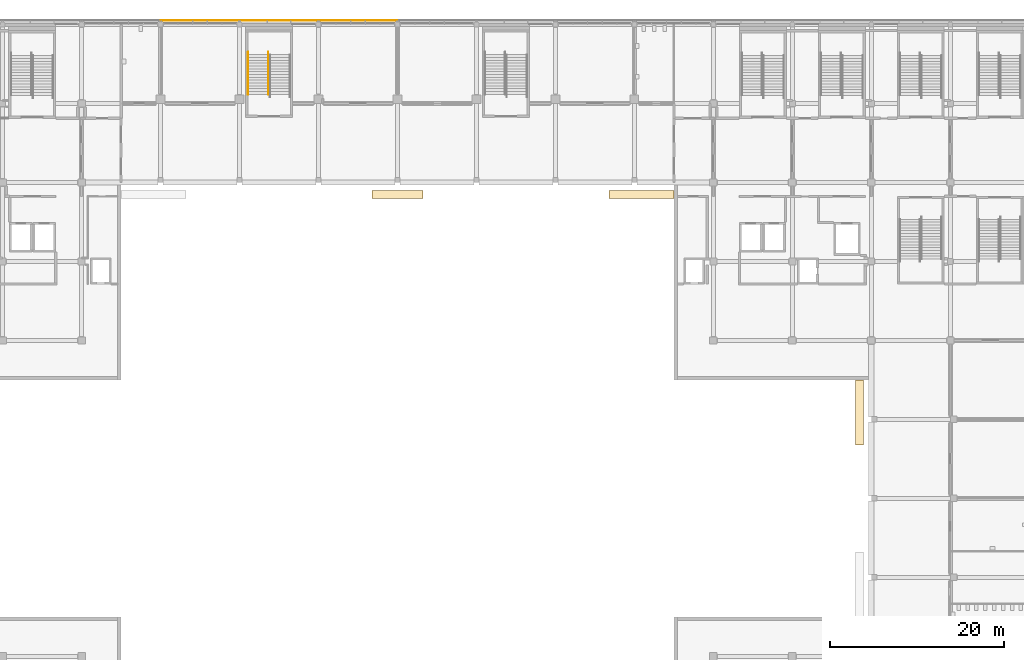
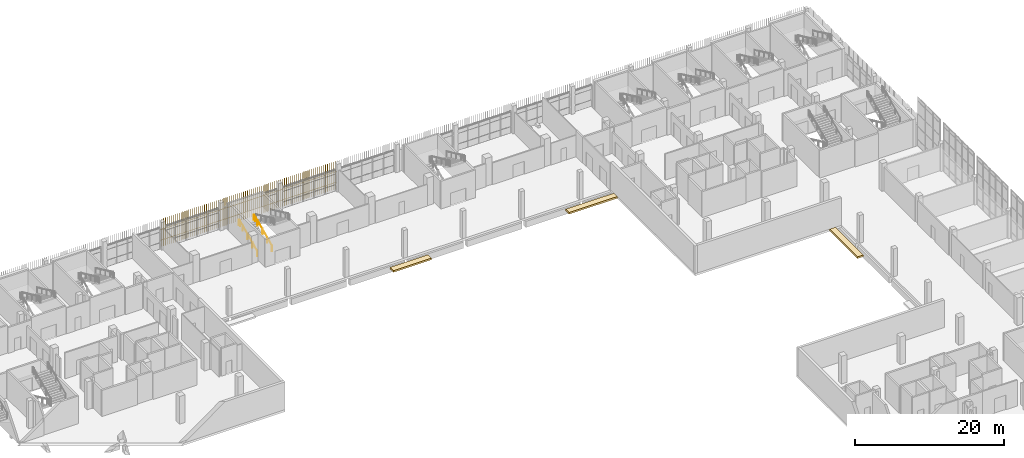
# One storey, part 117 of 126: 3 coverings, 3 shading devices, 2 railings.
"""IFC4 building model written with IfcOpenShell, lengths in metres."""

from ifc_helpers import new_model, si_unit, direction, frame, origin, origin_2d, place, context, subcontext, project, spatial, polyline, rectangle, circle, outline, extrude, material, layer, layer_set, type_object, element, save


model = new_model("IFC4")

# Units and contexts
model_context = context("Model", 3, precision=1e-05, world=origin(), true_north=direction((0.0, 1.0)))
body_context = subcontext(model_context, "Body", "Model", "MODEL_VIEW")
ifc_project = project(units=[si_unit("LENGTHUNIT", "METRE"), si_unit("AREAUNIT", "SQUARE_METRE"), si_unit("VOLUMEUNIT", "CUBIC_METRE"), si_unit("PLANEANGLEUNIT", "RADIAN"), si_unit("MASSUNIT", "GRAM", prefix="KILO")], contexts=[model_context])

# Site, building, storey
site_placement = place(None, origin())
site = spatial("IfcSite", under=ifc_project, at=site_placement, CompositionType="ELEMENT")
building_placement = place(site_placement, origin())
building = spatial("IfcBuilding", under=site, at=building_placement, Name="Shirokan Park Arena", CompositionType="ELEMENT")
storey_placement = place(building_placement, frame((0.0, 0.0, 6.3701171875)))
storey = spatial("IfcBuildingStorey", under=building, at=storey_placement, Name="L01", CompositionType="ELEMENT", Elevation=6.3701171875)

# Coverings
ifc_material_1 = material(Name="Concrete screed on the tier", Category="concrete")
ifc_layer = layer(ifc_material_1, 0.280029296875)
ifc_layer_set = layer_set([ifc_layer], Name="Concrete screed on the tier 280 mm")
covering_type = type_object("IfcCoveringType", Name="Platform floor infill 280", PredefinedType="FLOORING", material=ifc_layer_set)
covering_1_placement = place(storey_placement, frame((0.0, 0.0, -0.280029296875)))
element("IfcCovering", 1, at=covering_1_placement, inside=storey, type_object=covering_type, Name="Wheelchair Platform Floor N2 Lower Tier", PredefinedType="FLOORING", context=body_context, shape_type="SweptSolid", body=[
    extrude(outline(polyline([(75.75, 89.179931640625), (75.75, 90.090087890625), (69.85009765625, 90.090087890625), (69.85009765625, 89.179931640625), (75.75, 89.179931640625)])), origin(), (0.0, 0.0, 1.0), 0.280029296875),
])
covering_2_placement = place(storey_placement, frame((0.0, 0.0, -0.280029296875)))
element("IfcCovering", 2, at=covering_2_placement, inside=storey, type_object=covering_type, Name="Wheelchair Platform Floor N3 Lower Tier", PredefinedType="FLOORING", context=body_context, shape_type="SweptSolid", body=[
    extrude(outline(polyline([(104.64990234375, 89.179931640625), (104.64990234375, 90.090087890625), (97.14990234375, 90.090087890625), (97.14990234375, 89.179931640625), (104.64990234375, 89.179931640625)])), origin(), (0.0, 0.0, 1.0), 0.280029296875),
])
covering_3_placement = place(storey_placement, frame((0.0, 0.0, -0.280029296875)))
element("IfcCovering", 3, at=covering_3_placement, inside=storey, type_object=covering_type, Name="Wheelchair Platform Floor E2 Lower Tier", PredefinedType="FLOORING", context=body_context, shape_type="SweptSolid", body=[
    extrude(outline(polyline([(126.489990234375, 60.75), (126.489990234375, 68.25), (125.580078125, 68.25), (125.580078125, 60.75), (126.489990234375, 60.75)])), origin(), (0.0, 0.0, 1.0), 0.280029296875),
])

# Railings
ifc_material_2 = material(Name="Stainless steel", Category="steel")
railing_type = type_object("IfcRailingType", Name="Stair handrail 900", PredefinedType="HANDRAIL", material=ifc_material_2)
railing_1_placement = place(storey_placement, frame((55.590087890625, 101.14990234375, 0.151611328125)))
element("IfcRailing", 4, at=railing_1_placement, inside=storey, type_object=railing_type, Name="Handrail Entrance Stair E4.1 L01 to L02", PredefinedType="HANDRAIL", context=body_context, shape_type="SweptSolid", body=[
    extrude(circle(Radius=0.02392578125, at=origin_2d()), frame((0.0, 0.0, 0.8759765625), z_axis=(0.0, 0.907029769225, 0.421066500378), x_axis=(-1.0, 0.0, 0.0)), (0.0, 0.0, 1.0), 1.44091796875),
    extrude(circle(Radius=0.02392578125, at=origin_2d()), frame((0.0, 1.306884765625, 1.482421875), z_axis=(0.0, 0.907029769225, 0.421066500378), x_axis=(-1.0, 0.0, 0.0)), (0.0, 0.0, 1.0), 1.44091796875),
    extrude(circle(Radius=0.02392578125, at=origin_2d()), frame((0.0, 2.61376953125, 2.08935546875), z_axis=(0.0, 0.907064445915, 0.420991794405), x_axis=(-1.0, 0.0, 0.0)), (0.0, 0.0, 1.0), 1.4404296875),
    extrude(circle(Radius=0.02392578125, at=origin_2d()), frame((0.0, 3.92041015625, 2.69580078125), z_axis=(0.0, 0.906995101989, 0.421141169881), x_axis=(-1.0, 0.0, 0.0)), (0.0, 0.0, 1.0), 0.720703125),
    extrude(circle(Radius=0.02392578125, at=origin_2d()), frame((0.0, 4.573974609375, 2.9990234375), z_axis=(0.0, 1.0, 0.0), x_axis=(-1.0, 0.0, 0.0)), (0.0, 0.0, 1.0), 0.2998046875),
    extrude(circle(Radius=0.02099609375, at=origin_2d()), origin(), (0.0, 0.0, 1.0), 0.851806640625),
    extrude(circle(Radius=0.02099609375, at=origin_2d()), frame((0.0, 1.306884765625, 0.606689453125)), (0.0, 0.0, 1.0), 0.851806640625),
    extrude(circle(Radius=0.02099609375, at=origin_2d()), frame((0.0, 2.61376953125, 1.21337890625)), (0.0, 0.0, 1.0), 0.851806640625),
    extrude(circle(Radius=0.02099609375, at=origin_2d()), frame((0.0, 3.92041015625, 1.81982421875)), (0.0, 0.0, 1.0), 0.851806640625),
    extrude(circle(Radius=0.02099609375, at=origin_2d()), frame((0.0, 4.573974609375, 2.123291015625)), (0.0, 0.0, 1.0), 0.851806640625),
    extrude(circle(Radius=0.02099609375, at=origin_2d()), frame((0.0, 4.873779296875, 2.123291015625)), (0.0, 0.0, 1.0), 0.851806640625),
])
railing_2_placement = place(storey_placement, frame((57.909912109375, 101.14990234375, 0.151611328125)))
element("IfcRailing", 5, at=railing_2_placement, inside=storey, type_object=railing_type, Name="Handrail Entrance Stair E4.1 L01 to L02", PredefinedType="HANDRAIL", context=body_context, shape_type="SweptSolid", body=[
    extrude(circle(Radius=0.02392578125, at=origin_2d()), frame((0.0, 0.0, 0.8759765625), z_axis=(0.0, 0.907029769225, 0.421066500378), x_axis=(-1.0, 0.0, 0.0)), (0.0, 0.0, 1.0), 1.44091796875),
    extrude(circle(Radius=0.02392578125, at=origin_2d()), frame((0.0, 1.306884765625, 1.482421875), z_axis=(0.0, 0.907029769225, 0.421066500378), x_axis=(-1.0, 0.0, 0.0)), (0.0, 0.0, 1.0), 1.44091796875),
    extrude(circle(Radius=0.02392578125, at=origin_2d()), frame((0.0, 2.61376953125, 2.08935546875), z_axis=(0.0, 0.907064445915, 0.420991794405), x_axis=(-1.0, 0.0, 0.0)), (0.0, 0.0, 1.0), 1.4404296875),
    extrude(circle(Radius=0.02392578125, at=origin_2d()), frame((0.0, 3.92041015625, 2.69580078125), z_axis=(0.0, 0.906995101989, 0.421141169881), x_axis=(-1.0, 0.0, 0.0)), (0.0, 0.0, 1.0), 0.720703125),
    extrude(circle(Radius=0.02392578125, at=origin_2d()), frame((0.0, 4.573974609375, 2.9990234375), z_axis=(0.0, 1.0, 0.0), x_axis=(-1.0, 0.0, 0.0)), (0.0, 0.0, 1.0), 0.2998046875),
    extrude(circle(Radius=0.02099609375, at=origin_2d()), origin(), (0.0, 0.0, 1.0), 0.851806640625),
    extrude(circle(Radius=0.02099609375, at=origin_2d()), frame((0.0, 1.306884765625, 0.606689453125)), (0.0, 0.0, 1.0), 0.851806640625),
    extrude(circle(Radius=0.02099609375, at=origin_2d()), frame((0.0, 2.61376953125, 1.21337890625)), (0.0, 0.0, 1.0), 0.851806640625),
    extrude(circle(Radius=0.02099609375, at=origin_2d()), frame((0.0, 3.92041015625, 1.81982421875)), (0.0, 0.0, 1.0), 0.851806640625),
    extrude(circle(Radius=0.02099609375, at=origin_2d()), frame((0.0, 4.573974609375, 2.123291015625)), (0.0, 0.0, 1.0), 0.851806640625),
    extrude(circle(Radius=0.02099609375, at=origin_2d()), frame((0.0, 4.873779296875, 2.123291015625)), (0.0, 0.0, 1.0), 0.851806640625),
])

# Shading devices
ifc_material_3 = material(Name="Timber louvre veil (cedar)", Category="wood")
shading_device_type = type_object("IfcShadingDeviceType", Name="Timber louvre veil panel", PredefinedType="JALOUSIE", material=ifc_material_3)
shading_device_1_placement = place(storey_placement, origin())
element("IfcShadingDevice", 6, at=shading_device_1_placement, inside=storey, type_object=shading_device_type, Name="Timber louvre veil north bay 9 L01", PredefinedType="JALOUSIE", context=body_context, shape_type="SweptSolid", body=[
    extrude(rectangle(XDim=0.050048828125, YDim=0.080078125, at=origin_2d()), frame((72.6484375, 109.68505859375, 0.0), z_axis=(0.0, 0.0, 1.0), x_axis=(-1.0, 0.0, 0.0)), (0.0, 0.0, 1.0), 4.550048828125),
    extrude(rectangle(XDim=0.050048828125, YDim=0.080078125, at=origin_2d()), frame((72.344970703125, 109.68505859375, 0.0), z_axis=(0.0, 0.0, 1.0), x_axis=(-1.0, 0.0, 0.0)), (0.0, 0.0, 1.0), 4.550048828125),
    extrude(rectangle(XDim=0.050048828125, YDim=0.080078125, at=origin_2d()), frame((72.041748046875, 109.68505859375, 0.0), z_axis=(0.0, 0.0, 1.0), x_axis=(-1.0, 0.0, 0.0)), (0.0, 0.0, 1.0), 4.550048828125),
    extrude(rectangle(XDim=0.050048828125, YDim=0.080078125, at=origin_2d()), frame((71.73828125, 109.68505859375, 0.0), z_axis=(0.0, 0.0, 1.0), x_axis=(-1.0, 0.0, 0.0)), (0.0, 0.0, 1.0), 4.550048828125),
    extrude(rectangle(XDim=0.050048828125, YDim=0.080078125, at=origin_2d()), frame((71.43505859375, 109.68505859375, 0.0), z_axis=(0.0, 0.0, 1.0), x_axis=(-1.0, 0.0, 0.0)), (0.0, 0.0, 1.0), 4.550048828125),
    extrude(rectangle(XDim=0.050048828125, YDim=0.080078125, at=origin_2d()), frame((71.131591796875, 109.68505859375, 0.0), z_axis=(0.0, 0.0, 1.0), x_axis=(-1.0, 0.0, 0.0)), (0.0, 0.0, 1.0), 4.550048828125),
    extrude(rectangle(XDim=0.050048828125, YDim=0.080078125, at=origin_2d()), frame((70.828369140625, 109.68505859375, 0.0), z_axis=(0.0, 0.0, 1.0), x_axis=(-1.0, 0.0, 0.0)), (0.0, 0.0, 1.0), 4.550048828125),
    extrude(rectangle(XDim=0.050048828125, YDim=0.080078125, at=origin_2d()), frame((70.52490234375, 109.68505859375, 0.0), z_axis=(0.0, 0.0, 1.0), x_axis=(-1.0, 0.0, 0.0)), (0.0, 0.0, 1.0), 4.550048828125),
    extrude(rectangle(XDim=0.050048828125, YDim=0.080078125, at=origin_2d()), frame((70.2216796875, 109.68505859375, 0.0), z_axis=(0.0, 0.0, 1.0), x_axis=(-1.0, 0.0, 0.0)), (0.0, 0.0, 1.0), 4.550048828125),
    extrude(rectangle(XDim=0.050048828125, YDim=0.080078125, at=origin_2d()), frame((69.918212890625, 109.68505859375, 0.0), z_axis=(0.0, 0.0, 1.0), x_axis=(-1.0, 0.0, 0.0)), (0.0, 0.0, 1.0), 4.550048828125),
    extrude(rectangle(XDim=0.050048828125, YDim=0.080078125, at=origin_2d()), frame((69.614990234375, 109.68505859375, 0.0), z_axis=(0.0, 0.0, 1.0), x_axis=(-1.0, 0.0, 0.0)), (0.0, 0.0, 1.0), 4.550048828125),
    extrude(rectangle(XDim=0.050048828125, YDim=0.080078125, at=origin_2d()), frame((69.311767578125, 109.68505859375, 0.0), z_axis=(0.0, 0.0, 1.0), x_axis=(-1.0, 0.0, 0.0)), (0.0, 0.0, 1.0), 4.550048828125),
    extrude(rectangle(XDim=0.050048828125, YDim=0.080078125, at=origin_2d()), frame((69.00830078125, 109.68505859375, 0.0), z_axis=(0.0, 0.0, 1.0), x_axis=(-1.0, 0.0, 0.0)), (0.0, 0.0, 1.0), 4.550048828125),
    extrude(rectangle(XDim=0.050048828125, YDim=0.080078125, at=origin_2d()), frame((68.705078125, 109.68505859375, 0.0), z_axis=(0.0, 0.0, 1.0), x_axis=(-1.0, 0.0, 0.0)), (0.0, 0.0, 1.0), 4.550048828125),
    extrude(rectangle(XDim=0.050048828125, YDim=0.080078125, at=origin_2d()), frame((68.401611328125, 109.68505859375, 0.0), z_axis=(0.0, 0.0, 1.0), x_axis=(-1.0, 0.0, 0.0)), (0.0, 0.0, 1.0), 4.550048828125),
    extrude(rectangle(XDim=0.050048828125, YDim=0.080078125, at=origin_2d()), frame((68.098388671875, 109.68505859375, 0.0), z_axis=(0.0, 0.0, 1.0), x_axis=(-1.0, 0.0, 0.0)), (0.0, 0.0, 1.0), 4.550048828125),
    extrude(rectangle(XDim=0.050048828125, YDim=0.080078125, at=origin_2d()), frame((67.794921875, 109.68505859375, 0.0), z_axis=(0.0, 0.0, 1.0), x_axis=(-1.0, 0.0, 0.0)), (0.0, 0.0, 1.0), 4.550048828125),
    extrude(rectangle(XDim=0.050048828125, YDim=0.080078125, at=origin_2d()), frame((67.49169921875, 109.68505859375, 0.0), z_axis=(0.0, 0.0, 1.0), x_axis=(-1.0, 0.0, 0.0)), (0.0, 0.0, 1.0), 4.550048828125),
    extrude(rectangle(XDim=0.050048828125, YDim=0.080078125, at=origin_2d()), frame((67.188232421875, 109.68505859375, 0.0), z_axis=(0.0, 0.0, 1.0), x_axis=(-1.0, 0.0, 0.0)), (0.0, 0.0, 1.0), 4.550048828125),
    extrude(rectangle(XDim=0.050048828125, YDim=0.080078125, at=origin_2d()), frame((66.885009765625, 109.68505859375, 0.0), z_axis=(0.0, 0.0, 1.0), x_axis=(-1.0, 0.0, 0.0)), (0.0, 0.0, 1.0), 4.550048828125),
    extrude(rectangle(XDim=0.050048828125, YDim=0.080078125, at=origin_2d()), frame((66.581787109375, 109.68505859375, 0.0), z_axis=(0.0, 0.0, 1.0), x_axis=(-1.0, 0.0, 0.0)), (0.0, 0.0, 1.0), 4.550048828125),
    extrude(rectangle(XDim=0.050048828125, YDim=0.080078125, at=origin_2d()), frame((66.2783203125, 109.68505859375, 0.0), z_axis=(0.0, 0.0, 1.0), x_axis=(-1.0, 0.0, 0.0)), (0.0, 0.0, 1.0), 4.550048828125),
    extrude(rectangle(XDim=0.050048828125, YDim=0.080078125, at=origin_2d()), frame((65.97509765625, 109.68505859375, 0.0), z_axis=(0.0, 0.0, 1.0), x_axis=(-1.0, 0.0, 0.0)), (0.0, 0.0, 1.0), 4.550048828125),
    extrude(rectangle(XDim=0.050048828125, YDim=0.080078125, at=origin_2d()), frame((65.671630859375, 109.68505859375, 0.0), z_axis=(0.0, 0.0, 1.0), x_axis=(-1.0, 0.0, 0.0)), (0.0, 0.0, 1.0), 4.550048828125),
    extrude(rectangle(XDim=0.050048828125, YDim=0.080078125, at=origin_2d()), frame((65.368408203125, 109.68505859375, 0.0), z_axis=(0.0, 0.0, 1.0), x_axis=(-1.0, 0.0, 0.0)), (0.0, 0.0, 1.0), 4.550048828125),
    extrude(rectangle(XDim=0.050048828125, YDim=0.080078125, at=origin_2d()), frame((65.06494140625, 109.68505859375, 0.0), z_axis=(0.0, 0.0, 1.0), x_axis=(-1.0, 0.0, 0.0)), (0.0, 0.0, 1.0), 4.550048828125),
    extrude(rectangle(XDim=0.050048828125, YDim=0.080078125, at=origin_2d()), frame((64.76171875, 109.68505859375, 0.0), z_axis=(0.0, 0.0, 1.0), x_axis=(-1.0, 0.0, 0.0)), (0.0, 0.0, 1.0), 4.550048828125),
    extrude(rectangle(XDim=0.050048828125, YDim=0.080078125, at=origin_2d()), frame((64.458251953125, 109.68505859375, 0.0), z_axis=(0.0, 0.0, 1.0), x_axis=(-1.0, 0.0, 0.0)), (0.0, 0.0, 1.0), 4.550048828125),
    extrude(rectangle(XDim=0.050048828125, YDim=0.080078125, at=origin_2d()), frame((64.155029296875, 109.68505859375, 0.0), z_axis=(0.0, 0.0, 1.0), x_axis=(-1.0, 0.0, 0.0)), (0.0, 0.0, 1.0), 4.550048828125),
    extrude(rectangle(XDim=0.050048828125, YDim=0.080078125, at=origin_2d()), frame((63.8515625, 109.68505859375, 0.0), z_axis=(0.0, 0.0, 1.0), x_axis=(-1.0, 0.0, 0.0)), (0.0, 0.0, 1.0), 4.550048828125),
    extrude(rectangle(XDim=9.10009765625, YDim=0.050048828125, at=origin_2d()), frame((68.25, 109.669921875, 1.059814453125), z_axis=(0.0, 0.0, 1.0), x_axis=(-1.0, 0.0, 0.0)), (0.0, 0.0, 1.0), 0.080078125),
    extrude(rectangle(XDim=9.10009765625, YDim=0.050048828125, at=origin_2d()), frame((68.25, 109.669921875, 2.809814453125), z_axis=(0.0, 0.0, 1.0), x_axis=(-1.0, 0.0, 0.0)), (0.0, 0.0, 1.0), 0.080078125),
])
shading_device_2_placement = place(storey_placement, origin())
element("IfcShadingDevice", 7, at=shading_device_2_placement, inside=storey, type_object=shading_device_type, Name="Timber louvre veil north bay 10 L01", PredefinedType="JALOUSIE", context=body_context, shape_type="SweptSolid", body=[
    extrude(rectangle(XDim=0.050048828125, YDim=0.080078125, at=origin_2d()), frame((63.54833984375, 109.68505859375, 0.0), z_axis=(0.0, 0.0, 1.0), x_axis=(-1.0, 0.0, 0.0)), (0.0, 0.0, 1.0), 4.550048828125),
    extrude(rectangle(XDim=0.050048828125, YDim=0.080078125, at=origin_2d()), frame((63.2451171875, 109.68505859375, 0.0), z_axis=(0.0, 0.0, 1.0), x_axis=(-1.0, 0.0, 0.0)), (0.0, 0.0, 1.0), 4.550048828125),
    extrude(rectangle(XDim=0.050048828125, YDim=0.080078125, at=origin_2d()), frame((62.941650390625, 109.68505859375, 0.0), z_axis=(0.0, 0.0, 1.0), x_axis=(-1.0, 0.0, 0.0)), (0.0, 0.0, 1.0), 4.550048828125),
    extrude(rectangle(XDim=0.050048828125, YDim=0.080078125, at=origin_2d()), frame((62.638427734375, 109.68505859375, 0.0), z_axis=(0.0, 0.0, 1.0), x_axis=(-1.0, 0.0, 0.0)), (0.0, 0.0, 1.0), 4.550048828125),
    extrude(rectangle(XDim=0.050048828125, YDim=0.080078125, at=origin_2d()), frame((62.3349609375, 109.68505859375, 0.0), z_axis=(0.0, 0.0, 1.0), x_axis=(-1.0, 0.0, 0.0)), (0.0, 0.0, 1.0), 4.550048828125),
    extrude(rectangle(XDim=0.050048828125, YDim=0.080078125, at=origin_2d()), frame((62.03173828125, 109.68505859375, 0.0), z_axis=(0.0, 0.0, 1.0), x_axis=(-1.0, 0.0, 0.0)), (0.0, 0.0, 1.0), 4.550048828125),
    extrude(rectangle(XDim=0.050048828125, YDim=0.080078125, at=origin_2d()), frame((61.728271484375, 109.68505859375, 0.0), z_axis=(0.0, 0.0, 1.0), x_axis=(-1.0, 0.0, 0.0)), (0.0, 0.0, 1.0), 4.550048828125),
    extrude(rectangle(XDim=0.050048828125, YDim=0.080078125, at=origin_2d()), frame((61.425048828125, 109.68505859375, 0.0), z_axis=(0.0, 0.0, 1.0), x_axis=(-1.0, 0.0, 0.0)), (0.0, 0.0, 1.0), 4.550048828125),
    extrude(rectangle(XDim=0.050048828125, YDim=0.080078125, at=origin_2d()), frame((61.12158203125, 109.68505859375, 0.0), z_axis=(0.0, 0.0, 1.0), x_axis=(-1.0, 0.0, 0.0)), (0.0, 0.0, 1.0), 4.550048828125),
    extrude(rectangle(XDim=0.050048828125, YDim=0.080078125, at=origin_2d()), frame((60.818359375, 109.68505859375, 0.0), z_axis=(0.0, 0.0, 1.0), x_axis=(-1.0, 0.0, 0.0)), (0.0, 0.0, 1.0), 4.550048828125),
    extrude(rectangle(XDim=0.050048828125, YDim=0.080078125, at=origin_2d()), frame((60.514892578125, 109.68505859375, 0.0), z_axis=(0.0, 0.0, 1.0), x_axis=(-1.0, 0.0, 0.0)), (0.0, 0.0, 1.0), 4.550048828125),
    extrude(rectangle(XDim=0.050048828125, YDim=0.080078125, at=origin_2d()), frame((60.211669921875, 109.68505859375, 0.0), z_axis=(0.0, 0.0, 1.0), x_axis=(-1.0, 0.0, 0.0)), (0.0, 0.0, 1.0), 4.550048828125),
    extrude(rectangle(XDim=0.050048828125, YDim=0.080078125, at=origin_2d()), frame((59.908447265625, 109.68505859375, 0.0), z_axis=(0.0, 0.0, 1.0), x_axis=(-1.0, 0.0, 0.0)), (0.0, 0.0, 1.0), 4.550048828125),
    extrude(rectangle(XDim=0.050048828125, YDim=0.080078125, at=origin_2d()), frame((59.60498046875, 109.68505859375, 0.0), z_axis=(0.0, 0.0, 1.0), x_axis=(-1.0, 0.0, 0.0)), (0.0, 0.0, 1.0), 4.550048828125),
    extrude(rectangle(XDim=0.050048828125, YDim=0.080078125, at=origin_2d()), frame((59.3017578125, 109.68505859375, 0.0), z_axis=(0.0, 0.0, 1.0), x_axis=(-1.0, 0.0, 0.0)), (0.0, 0.0, 1.0), 4.550048828125),
    extrude(rectangle(XDim=0.050048828125, YDim=0.080078125, at=origin_2d()), frame((58.998291015625, 109.68505859375, 0.0), z_axis=(0.0, 0.0, 1.0), x_axis=(-1.0, 0.0, 0.0)), (0.0, 0.0, 1.0), 4.550048828125),
    extrude(rectangle(XDim=0.050048828125, YDim=0.080078125, at=origin_2d()), frame((58.695068359375, 109.68505859375, 0.0), z_axis=(0.0, 0.0, 1.0), x_axis=(-1.0, 0.0, 0.0)), (0.0, 0.0, 1.0), 4.550048828125),
    extrude(rectangle(XDim=0.050048828125, YDim=0.080078125, at=origin_2d()), frame((58.3916015625, 109.68505859375, 0.0), z_axis=(0.0, 0.0, 1.0), x_axis=(-1.0, 0.0, 0.0)), (0.0, 0.0, 1.0), 4.550048828125),
    extrude(rectangle(XDim=0.050048828125, YDim=0.080078125, at=origin_2d()), frame((58.08837890625, 109.68505859375, 0.0), z_axis=(0.0, 0.0, 1.0), x_axis=(-1.0, 0.0, 0.0)), (0.0, 0.0, 1.0), 4.550048828125),
    extrude(rectangle(XDim=0.050048828125, YDim=0.080078125, at=origin_2d()), frame((57.784912109375, 109.68505859375, 0.0), z_axis=(0.0, 0.0, 1.0), x_axis=(-1.0, 0.0, 0.0)), (0.0, 0.0, 1.0), 4.550048828125),
    extrude(rectangle(XDim=0.050048828125, YDim=0.080078125, at=origin_2d()), frame((57.481689453125, 109.68505859375, 0.0), z_axis=(0.0, 0.0, 1.0), x_axis=(-1.0, 0.0, 0.0)), (0.0, 0.0, 1.0), 4.550048828125),
    extrude(rectangle(XDim=0.050048828125, YDim=0.080078125, at=origin_2d()), frame((57.17822265625, 109.68505859375, 0.0), z_axis=(0.0, 0.0, 1.0), x_axis=(-1.0, 0.0, 0.0)), (0.0, 0.0, 1.0), 4.550048828125),
    extrude(rectangle(XDim=0.050048828125, YDim=0.080078125, at=origin_2d()), frame((56.875, 109.68505859375, 0.0), z_axis=(0.0, 0.0, 1.0), x_axis=(-1.0, 0.0, 0.0)), (0.0, 0.0, 1.0), 4.550048828125),
    extrude(rectangle(XDim=0.050048828125, YDim=0.080078125, at=origin_2d()), frame((56.57177734375, 109.68505859375, 0.0), z_axis=(0.0, 0.0, 1.0), x_axis=(-1.0, 0.0, 0.0)), (0.0, 0.0, 1.0), 4.550048828125),
    extrude(rectangle(XDim=0.050048828125, YDim=0.080078125, at=origin_2d()), frame((56.268310546875, 109.68505859375, 0.0), z_axis=(0.0, 0.0, 1.0), x_axis=(-1.0, 0.0, 0.0)), (0.0, 0.0, 1.0), 4.550048828125),
    extrude(rectangle(XDim=0.050048828125, YDim=0.080078125, at=origin_2d()), frame((55.965087890625, 109.68505859375, 0.0), z_axis=(0.0, 0.0, 1.0), x_axis=(-1.0, 0.0, 0.0)), (0.0, 0.0, 1.0), 4.550048828125),
    extrude(rectangle(XDim=0.050048828125, YDim=0.080078125, at=origin_2d()), frame((55.66162109375, 109.68505859375, 0.0), z_axis=(0.0, 0.0, 1.0), x_axis=(-1.0, 0.0, 0.0)), (0.0, 0.0, 1.0), 4.550048828125),
    extrude(rectangle(XDim=0.050048828125, YDim=0.080078125, at=origin_2d()), frame((55.3583984375, 109.68505859375, 0.0), z_axis=(0.0, 0.0, 1.0), x_axis=(-1.0, 0.0, 0.0)), (0.0, 0.0, 1.0), 4.550048828125),
    extrude(rectangle(XDim=0.050048828125, YDim=0.080078125, at=origin_2d()), frame((55.054931640625, 109.68505859375, 0.0), z_axis=(0.0, 0.0, 1.0), x_axis=(-1.0, 0.0, 0.0)), (0.0, 0.0, 1.0), 4.550048828125),
    extrude(rectangle(XDim=0.050048828125, YDim=0.080078125, at=origin_2d()), frame((54.751708984375, 109.68505859375, 0.0), z_axis=(0.0, 0.0, 1.0), x_axis=(-1.0, 0.0, 0.0)), (0.0, 0.0, 1.0), 4.550048828125),
    extrude(rectangle(XDim=9.10009765625, YDim=0.050048828125, at=origin_2d()), frame((59.14990234375, 109.669921875, 1.059814453125), z_axis=(0.0, 0.0, 1.0), x_axis=(-1.0, 0.0, 0.0)), (0.0, 0.0, 1.0), 0.080078125),
    extrude(rectangle(XDim=9.10009765625, YDim=0.050048828125, at=origin_2d()), frame((59.14990234375, 109.669921875, 2.809814453125), z_axis=(0.0, 0.0, 1.0), x_axis=(-1.0, 0.0, 0.0)), (0.0, 0.0, 1.0), 0.080078125),
])
shading_device_3_placement = place(storey_placement, origin())
element("IfcShadingDevice", 8, at=shading_device_3_placement, inside=storey, type_object=shading_device_type, Name="Timber louvre veil north bay 11 L01", PredefinedType="JALOUSIE", context=body_context, shape_type="SweptSolid", body=[
    extrude(rectangle(XDim=0.050048828125, YDim=0.080078125, at=origin_2d()), frame((54.4482421875, 109.68505859375, 0.0), z_axis=(0.0, 0.0, 1.0), x_axis=(-1.0, 0.0, 0.0)), (0.0, 0.0, 1.0), 4.550048828125),
    extrude(rectangle(XDim=0.050048828125, YDim=0.080078125, at=origin_2d()), frame((54.14501953125, 109.68505859375, 0.0), z_axis=(0.0, 0.0, 1.0), x_axis=(-1.0, 0.0, 0.0)), (0.0, 0.0, 1.0), 4.550048828125),
    extrude(rectangle(XDim=0.050048828125, YDim=0.080078125, at=origin_2d()), frame((53.841552734375, 109.68505859375, 0.0), z_axis=(0.0, 0.0, 1.0), x_axis=(-1.0, 0.0, 0.0)), (0.0, 0.0, 1.0), 4.550048828125),
    extrude(rectangle(XDim=0.050048828125, YDim=0.080078125, at=origin_2d()), frame((53.538330078125, 109.68505859375, 0.0), z_axis=(0.0, 0.0, 1.0), x_axis=(-1.0, 0.0, 0.0)), (0.0, 0.0, 1.0), 4.550048828125),
    extrude(rectangle(XDim=0.050048828125, YDim=0.080078125, at=origin_2d()), frame((53.235107421875, 109.68505859375, 0.0), z_axis=(0.0, 0.0, 1.0), x_axis=(-1.0, 0.0, 0.0)), (0.0, 0.0, 1.0), 4.550048828125),
    extrude(rectangle(XDim=0.050048828125, YDim=0.080078125, at=origin_2d()), frame((52.931640625, 109.68505859375, 0.0), z_axis=(0.0, 0.0, 1.0), x_axis=(-1.0, 0.0, 0.0)), (0.0, 0.0, 1.0), 4.550048828125),
    extrude(rectangle(XDim=0.050048828125, YDim=0.080078125, at=origin_2d()), frame((52.62841796875, 109.68505859375, 0.0), z_axis=(0.0, 0.0, 1.0), x_axis=(-1.0, 0.0, 0.0)), (0.0, 0.0, 1.0), 4.550048828125),
    extrude(rectangle(XDim=0.050048828125, YDim=0.080078125, at=origin_2d()), frame((52.324951171875, 109.68505859375, 0.0), z_axis=(0.0, 0.0, 1.0), x_axis=(-1.0, 0.0, 0.0)), (0.0, 0.0, 1.0), 4.550048828125),
    extrude(rectangle(XDim=0.050048828125, YDim=0.080078125, at=origin_2d()), frame((52.021728515625, 109.68505859375, 0.0), z_axis=(0.0, 0.0, 1.0), x_axis=(-1.0, 0.0, 0.0)), (0.0, 0.0, 1.0), 4.550048828125),
    extrude(rectangle(XDim=0.050048828125, YDim=0.080078125, at=origin_2d()), frame((51.71826171875, 109.68505859375, 0.0), z_axis=(0.0, 0.0, 1.0), x_axis=(-1.0, 0.0, 0.0)), (0.0, 0.0, 1.0), 4.550048828125),
    extrude(rectangle(XDim=0.050048828125, YDim=0.080078125, at=origin_2d()), frame((51.4150390625, 109.68505859375, 0.0), z_axis=(0.0, 0.0, 1.0), x_axis=(-1.0, 0.0, 0.0)), (0.0, 0.0, 1.0), 4.550048828125),
    extrude(rectangle(XDim=0.050048828125, YDim=0.080078125, at=origin_2d()), frame((51.111572265625, 109.68505859375, 0.0), z_axis=(0.0, 0.0, 1.0), x_axis=(-1.0, 0.0, 0.0)), (0.0, 0.0, 1.0), 4.550048828125),
    extrude(rectangle(XDim=0.050048828125, YDim=0.080078125, at=origin_2d()), frame((50.808349609375, 109.68505859375, 0.0), z_axis=(0.0, 0.0, 1.0), x_axis=(-1.0, 0.0, 0.0)), (0.0, 0.0, 1.0), 4.550048828125),
    extrude(rectangle(XDim=0.050048828125, YDim=0.080078125, at=origin_2d()), frame((50.5048828125, 109.68505859375, 0.0), z_axis=(0.0, 0.0, 1.0), x_axis=(-1.0, 0.0, 0.0)), (0.0, 0.0, 1.0), 4.550048828125),
    extrude(rectangle(XDim=0.050048828125, YDim=0.080078125, at=origin_2d()), frame((50.20166015625, 109.68505859375, 0.0), z_axis=(0.0, 0.0, 1.0), x_axis=(-1.0, 0.0, 0.0)), (0.0, 0.0, 1.0), 4.550048828125),
    extrude(rectangle(XDim=0.050048828125, YDim=0.080078125, at=origin_2d()), frame((49.8984375, 109.68505859375, 0.0), z_axis=(0.0, 0.0, 1.0), x_axis=(-1.0, 0.0, 0.0)), (0.0, 0.0, 1.0), 4.550048828125),
    extrude(rectangle(XDim=0.050048828125, YDim=0.080078125, at=origin_2d()), frame((49.594970703125, 109.68505859375, 0.0), z_axis=(0.0, 0.0, 1.0), x_axis=(-1.0, 0.0, 0.0)), (0.0, 0.0, 1.0), 4.550048828125),
    extrude(rectangle(XDim=0.050048828125, YDim=0.080078125, at=origin_2d()), frame((49.291748046875, 109.68505859375, 0.0), z_axis=(0.0, 0.0, 1.0), x_axis=(-1.0, 0.0, 0.0)), (0.0, 0.0, 1.0), 4.550048828125),
    extrude(rectangle(XDim=0.050048828125, YDim=0.080078125, at=origin_2d()), frame((48.98828125, 109.68505859375, 0.0), z_axis=(0.0, 0.0, 1.0), x_axis=(-1.0, 0.0, 0.0)), (0.0, 0.0, 1.0), 4.550048828125),
    extrude(rectangle(XDim=0.050048828125, YDim=0.080078125, at=origin_2d()), frame((48.68505859375, 109.68505859375, 0.0), z_axis=(0.0, 0.0, 1.0), x_axis=(-1.0, 0.0, 0.0)), (0.0, 0.0, 1.0), 4.550048828125),
    extrude(rectangle(XDim=0.050048828125, YDim=0.080078125, at=origin_2d()), frame((48.381591796875, 109.68505859375, 0.0), z_axis=(0.0, 0.0, 1.0), x_axis=(-1.0, 0.0, 0.0)), (0.0, 0.0, 1.0), 4.550048828125),
    extrude(rectangle(XDim=0.050048828125, YDim=0.080078125, at=origin_2d()), frame((48.078369140625, 109.68505859375, 0.0), z_axis=(0.0, 0.0, 1.0), x_axis=(-1.0, 0.0, 0.0)), (0.0, 0.0, 1.0), 4.550048828125),
    extrude(rectangle(XDim=0.050048828125, YDim=0.080078125, at=origin_2d()), frame((47.77490234375, 109.68505859375, 0.0), z_axis=(0.0, 0.0, 1.0), x_axis=(-1.0, 0.0, 0.0)), (0.0, 0.0, 1.0), 4.550048828125),
    extrude(rectangle(XDim=0.050048828125, YDim=0.080078125, at=origin_2d()), frame((47.4716796875, 109.68505859375, 0.0), z_axis=(0.0, 0.0, 1.0), x_axis=(-1.0, 0.0, 0.0)), (0.0, 0.0, 1.0), 4.550048828125),
    extrude(rectangle(XDim=0.050048828125, YDim=0.080078125, at=origin_2d()), frame((47.168212890625, 109.68505859375, 0.0), z_axis=(0.0, 0.0, 1.0), x_axis=(-1.0, 0.0, 0.0)), (0.0, 0.0, 1.0), 4.550048828125),
    extrude(rectangle(XDim=0.050048828125, YDim=0.080078125, at=origin_2d()), frame((46.864990234375, 109.68505859375, 0.0), z_axis=(0.0, 0.0, 1.0), x_axis=(-1.0, 0.0, 0.0)), (0.0, 0.0, 1.0), 4.550048828125),
    extrude(rectangle(XDim=0.050048828125, YDim=0.080078125, at=origin_2d()), frame((46.561767578125, 109.68505859375, 0.0), z_axis=(0.0, 0.0, 1.0), x_axis=(-1.0, 0.0, 0.0)), (0.0, 0.0, 1.0), 4.550048828125),
    extrude(rectangle(XDim=0.050048828125, YDim=0.080078125, at=origin_2d()), frame((46.25830078125, 109.68505859375, 0.0), z_axis=(0.0, 0.0, 1.0), x_axis=(-1.0, 0.0, 0.0)), (0.0, 0.0, 1.0), 4.550048828125),
    extrude(rectangle(XDim=0.050048828125, YDim=0.080078125, at=origin_2d()), frame((45.955078125, 109.68505859375, 0.0), z_axis=(0.0, 0.0, 1.0), x_axis=(-1.0, 0.0, 0.0)), (0.0, 0.0, 1.0), 4.550048828125),
    extrude(rectangle(XDim=0.050048828125, YDim=0.080078125, at=origin_2d()), frame((45.651611328125, 109.68505859375, 0.0), z_axis=(0.0, 0.0, 1.0), x_axis=(-1.0, 0.0, 0.0)), (0.0, 0.0, 1.0), 4.550048828125),
    extrude(rectangle(XDim=9.10009765625, YDim=0.050048828125, at=origin_2d()), frame((50.050048828125, 109.669921875, 1.059814453125), z_axis=(0.0, 0.0, 1.0), x_axis=(-1.0, 0.0, 0.0)), (0.0, 0.0, 1.0), 0.080078125),
    extrude(rectangle(XDim=9.10009765625, YDim=0.050048828125, at=origin_2d()), frame((50.050048828125, 109.669921875, 2.809814453125), z_axis=(0.0, 0.0, 1.0), x_axis=(-1.0, 0.0, 0.0)), (0.0, 0.0, 1.0), 0.080078125),
])

save(model, "model.ifc")
